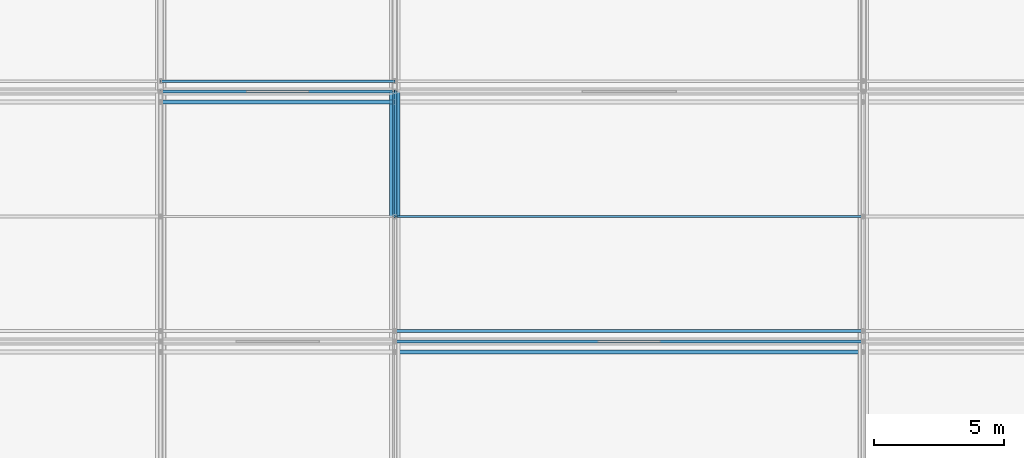
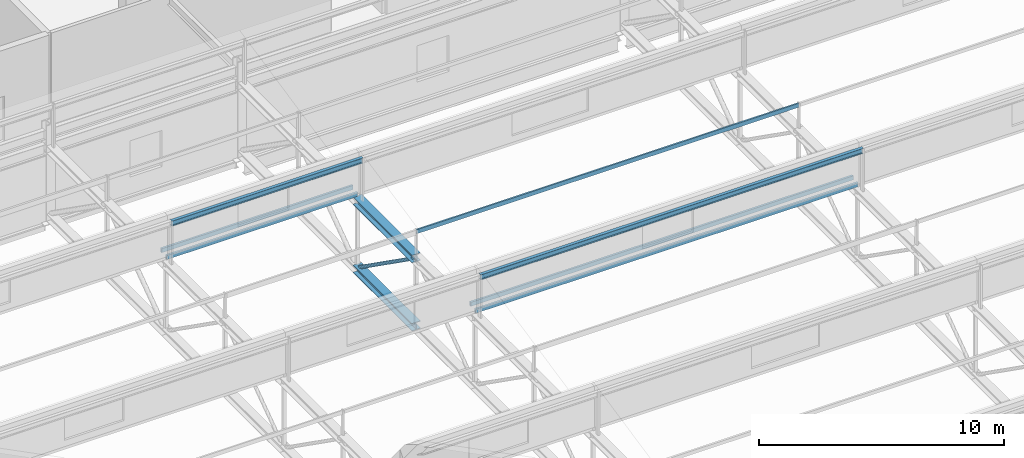
# One storey, part 55 of 136: 8 members, 2 beams.
"""IFC4 building model written with IfcOpenShell, lengths in metres."""

from ifc_helpers import new_model, si_unit, direction, frame, origin, origin_2d, place, context, subcontext, project, spatial, hollow_rectangle, hollow_circle, i_section, u_section, extrude, material, material_profile, profile_set, type_object, element, save


model = new_model("IFC4")

# Units and contexts
model_context = context("Model", 3, precision=1e-05, world=origin(), true_north=direction((0.0, 1.0)))
body_context = subcontext(model_context, "Body", "Model", "MODEL_VIEW")
ifc_project = project(units=[si_unit("LENGTHUNIT", "METRE"), si_unit("AREAUNIT", "SQUARE_METRE"), si_unit("VOLUMEUNIT", "CUBIC_METRE"), si_unit("PLANEANGLEUNIT", "RADIAN"), si_unit("MASSUNIT", "GRAM", prefix="KILO")], contexts=[model_context])

# Site, building, storey
site_placement = place(None, origin())
site = spatial("IfcSite", under=ifc_project, at=site_placement, CompositionType="ELEMENT")
building_placement = place(site_placement, origin())
building = spatial("IfcBuilding", under=site, at=building_placement, Name="Kisiwana Market Hall", CompositionType="ELEMENT")
storey_placement = place(building_placement, frame((0.0, 0.0, 16.800048828125)))
storey = spatial("IfcBuildingStorey", under=building, at=storey_placement, Name="L03", CompositionType="ELEMENT", Elevation=16.800048828125)

# Beams
ifc_material_1 = material(Name="Steel S355", Category="steel")
ifc_material_profile_1 = material_profile(ifc_material_1, i_section(OverallWidth=0.394775390625, OverallDepth=0.381103515625, WebThickness=0.018310546875, FlangeThickness=0.0302734375, at=origin_2d()), Name="UC 356x406x235")
ifc_profile_set_1 = profile_set([ifc_material_profile_1], Name="Steel S355")
beam_type_1 = type_object("IfcBeamType", Name="BM-TRUSS-BOT", PredefinedType="USERDEFINED", material=ifc_profile_set_1)
beam_1_placement = place(storey_placement, frame((117.0, 69.60009765625, 0.22998046875), z_axis=(0.0, 1.0, 0.0), x_axis=(-1.0, 0.0, 0.0)))
element("IfcBeam", 1, at=beam_1_placement, inside=storey, type_object=beam_type_1, Name="TR-06 BC panel 8 B-1285", ObjectType="ROOF TRUSS", PredefinedType="USERDEFINED", context=body_context, shape_type="SweptSolid", body=[
    extrude(i_section(OverallWidth=0.394775390625, OverallDepth=0.381103515625, WebThickness=0.018310546875, FlangeThickness=0.0302734375, at=origin_2d()), origin(), (0.0, 0.0, 1.0), 4.7998046875),
])
ifc_material_2 = material(Name="Steel S355", Category="steel")
ifc_material_profile_2 = material_profile(ifc_material_2, i_section(OverallWidth=0.39892578125, OverallDepth=0.3935546875, WebThickness=0.022705078125, FlangeThickness=0.03662109375, at=origin_2d()), Name="UC 356x406x287")
ifc_profile_set_2 = profile_set([ifc_material_profile_2], Name="Steel S355")
beam_type_2 = type_object("IfcBeamType", Name="BM-TRUSS-TOP", PredefinedType="USERDEFINED", material=ifc_profile_set_2)
beam_2_placement = place(storey_placement, frame((117.0, 69.60009765625, 3.619873046875), z_axis=(0.0, 1.0, 0.0), x_axis=(-1.0, 0.0, 0.0)))
element("IfcBeam", 2, at=beam_2_placement, inside=storey, type_object=beam_type_2, Name="TR-06 TC panel 8 B-1295", ObjectType="ROOF TRUSS", PredefinedType="USERDEFINED", context=body_context, shape_type="SweptSolid", body=[
    extrude(i_section(OverallWidth=0.39892578125, OverallDepth=0.3935546875, WebThickness=0.022705078125, FlangeThickness=0.03662109375, at=origin_2d()), origin(), (0.0, 0.0, 1.0), 4.7998046875),
])

# Members
ifc_material_3 = material(Name="Steel S355", Category="steel")
ifc_material_profile_3 = material_profile(ifc_material_3, u_section(Depth=0.199951171875, FlangeWidth=0.074951171875, WebThickness=0.006103515625, FlangeThickness=0.012451171875, at=origin_2d()), Name="PFC 200x75x23")
ifc_profile_set_3 = profile_set([ifc_material_profile_3], Name="Steel S355")
member_type_1 = type_object("IfcMemberType", Name="MB-PURL-PFC200", PredefinedType="PURLIN", material=ifc_profile_set_3)
member_1_placement = place(storey_placement, frame((117.0, 69.60009765625, 4.936279296875), z_axis=(1.0, 0.0, 0.0), x_axis=(0.0, 1.0, 0.0)))
element("IfcMember", 3, at=member_1_placement, inside=storey, type_object=member_type_1, Name="Sawtooth mid-slope roof purlin 57 M-0117", PredefinedType="PURLIN", context=body_context, shape_type="SweptSolid", body=[
    extrude(u_section(Depth=0.199951171875, FlangeWidth=0.074951171875, WebThickness=0.006103515625, FlangeThickness=0.012451171875, at=origin_2d()), origin(), (0.0, 0.0, 1.0), 18.0),
])
ifc_material_4 = material(Name="Steel S355", Category="steel")
ifc_material_profile_4 = material_profile(ifc_material_4, hollow_rectangle(XDim=0.10009765625, YDim=0.199951171875, WallThickness=0.008056640625, at=origin_2d()), Name="RHS 200x100x8.0")
ifc_profile_set_4 = profile_set([ifc_material_profile_4], Name="Steel S355")
member_type_2 = type_object("IfcMemberType", Name="MB-ROOF-PURLIN1", PredefinedType="PURLIN", material=ifc_profile_set_4)
member_2_placement = place(storey_placement, frame((117.0, 64.800048828125, 3.90087890625), z_axis=(1.0, 0.0, 0.0), x_axis=(0.0, 1.0, 0.0)))
element("IfcMember", 4, at=member_2_placement, inside=storey, type_object=member_type_2, Name="Sawtooth roof purlin 284 M-0185", PredefinedType="PURLIN", context=body_context, shape_type="SweptSolid", body=[
    extrude(hollow_rectangle(XDim=0.10009765625, YDim=0.199951171875, WallThickness=0.008056640625, at=origin_2d()), origin(), (0.0, 0.0, 1.0), 18.0),
])
member_3_placement = place(storey_placement, frame((108.0, 74.39990234375, 3.90087890625), z_axis=(1.0, 0.0, 0.0), x_axis=(0.0, 1.0, 0.0)))
element("IfcMember", 5, at=member_3_placement, inside=storey, type_object=member_type_2, Name="Sawtooth roof purlin 326 M-0203", PredefinedType="PURLIN", context=body_context, shape_type="SweptSolid", body=[
    extrude(hollow_rectangle(XDim=0.10009765625, YDim=0.199951171875, WallThickness=0.008056640625, at=origin_2d()), origin(), (0.0, 0.0, 1.0), 9.0),
])
member_4_placement = place(storey_placement, frame((117.0, 65.199951171875, 4.0009765625), z_axis=(1.0, 0.0, 0.0), x_axis=(0.0, 1.0, 0.0)))
element("IfcMember", 6, at=member_4_placement, inside=storey, type_object=member_type_2, Name="Sawtooth roof purlin 327 M-0204", PredefinedType="PURLIN", context=body_context, shape_type="SweptSolid", body=[
    extrude(hollow_rectangle(XDim=0.10009765625, YDim=0.199951171875, WallThickness=0.008056640625, at=origin_2d()), origin(), (0.0, 0.0, 1.0), 18.0),
])
member_5_placement = place(storey_placement, frame((108.0, 74.800048828125, 4.0009765625), z_axis=(1.0, 0.0, 0.0), x_axis=(0.0, 1.0, 0.0)))
element("IfcMember", 7, at=member_5_placement, inside=storey, type_object=member_type_2, Name="Sawtooth roof purlin 357 M-0218", PredefinedType="PURLIN", context=body_context, shape_type="SweptSolid", body=[
    extrude(hollow_rectangle(XDim=0.10009765625, YDim=0.199951171875, WallThickness=0.008056640625, at=origin_2d()), origin(), (0.0, 0.0, 1.0), 9.0),
])
ifc_material_5 = material(Name="Steel S355", Category="steel")
ifc_material_profile_5 = material_profile(ifc_material_5, i_section(OverallWidth=0.146484375, OverallDepth=0.256103515625, WebThickness=0.00634765625, FlangeThickness=0.010986328125, at=origin_2d()), Name="UB 254x146x37")
ifc_profile_set_5 = profile_set([ifc_material_profile_5], Name="Steel S355")
member_type_3 = type_object("IfcMemberType", Name="MB-ROOF-PURLIN2", PredefinedType="PURLIN", material=ifc_profile_set_5)
member_6_placement = place(storey_placement, frame((117.0, 64.39990234375, 5.843505859375), z_axis=(1.0, 0.0, 0.0), x_axis=(0.0, 1.0, 0.0)))
element("IfcMember", 8, at=member_6_placement, inside=storey, type_object=member_type_3, Name="Sawtooth roof purlin 283 M-0184", PredefinedType="PURLIN", context=body_context, shape_type="SweptSolid", body=[
    extrude(i_section(OverallWidth=0.146484375, OverallDepth=0.256103515625, WebThickness=0.00634765625, FlangeThickness=0.010986328125, at=origin_2d()), origin(), (0.0, 0.0, 1.0), 18.0),
])
member_7_placement = place(storey_placement, frame((108.0, 74.0, 5.843505859375), z_axis=(1.0, 0.0, 0.0), x_axis=(0.0, 1.0, 0.0)))
element("IfcMember", 9, at=member_7_placement, inside=storey, type_object=member_type_3, Name="Sawtooth roof purlin 325 M-0202", PredefinedType="PURLIN", context=body_context, shape_type="SweptSolid", body=[
    extrude(i_section(OverallWidth=0.146484375, OverallDepth=0.256103515625, WebThickness=0.00634765625, FlangeThickness=0.010986328125, at=origin_2d()), origin(), (0.0, 0.0, 1.0), 9.0),
])
ifc_material_6 = material(Name="Steel S355", Category="steel")
ifc_material_profile_6 = material_profile(ifc_material_6, hollow_circle(Radius=0.084228515625, WallThickness=0.010009765625, at=origin_2d()), Name="CHS 168.3x10.0")
ifc_profile_set_6 = profile_set([ifc_material_profile_6], Name="Steel S355")
member_type_4 = type_object("IfcMemberType", Name="MB-TR-DIAG168", PredefinedType="BRACE", material=ifc_profile_set_6)
member_8_placement = place(storey_placement, frame((117.0, 69.60009765625, 3.619873046875), z_axis=(0.0, 0.816823908826, -0.576887079046), x_axis=(-1.0, 0.0, 0.0)))
element("IfcMember", 10, at=member_8_placement, inside=storey, type_object=member_type_4, Name="TR-06 diagonal 8 M-0438", PredefinedType="BRACE", context=body_context, shape_type="SweptSolid", body=[
    extrude(hollow_circle(Radius=0.084228515625, WallThickness=0.010009765625, at=origin_2d()), origin(), (0.0, 0.0, 1.0), 5.876220703125),
])

save(model, "model.ifc")
